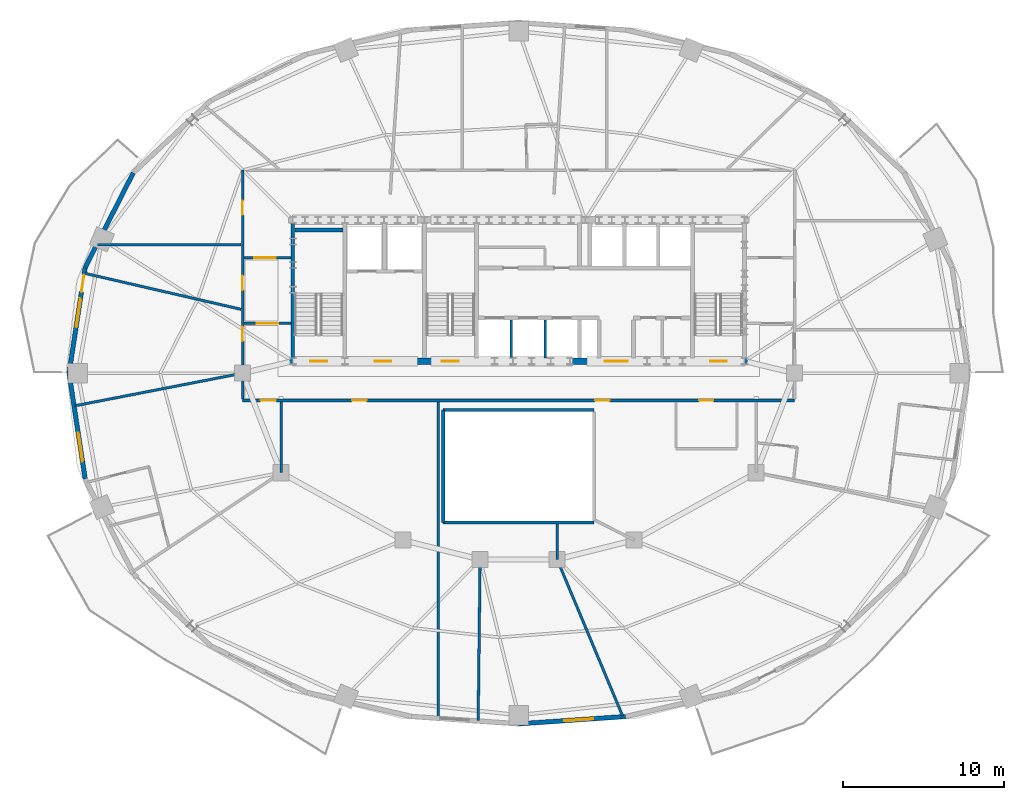
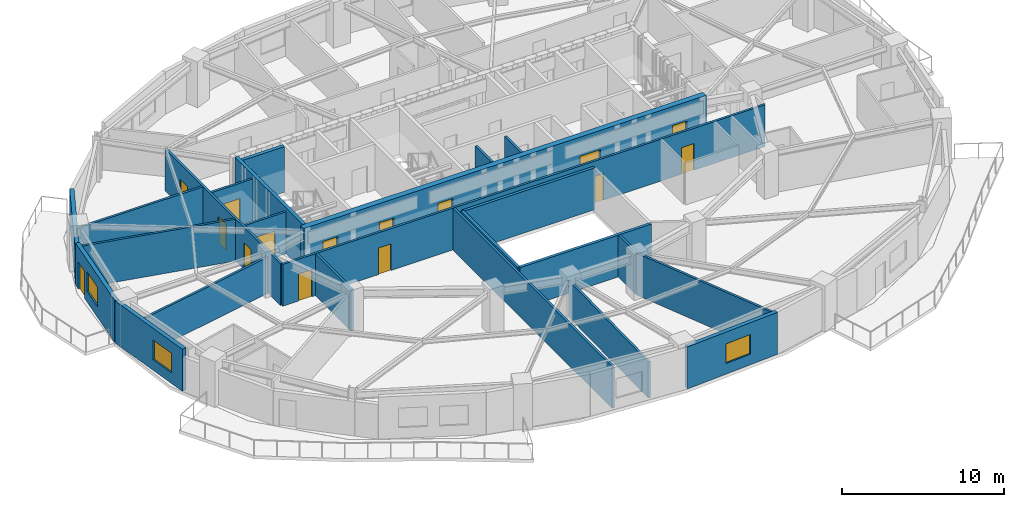
# One storey, part 4 of 10: 24 walls, 15 doors, 3 windows, 18 openings.
"""IFC4 building model written with IfcOpenShell, lengths in metres."""

from ifc_helpers import new_model, si_unit, direction, frame, frame_2d, origin, place, context, subcontext, project, spatial, rectangle, extrude, material, layer, layer_set, type_object, element, fill, save


model = new_model("IFC4")

# Units and contexts
model_context = context("Model", 3, precision=1e-05, world=origin(), true_north=direction((0.0, 1.0)))
body_context = subcontext(model_context, "Body", "Model", "MODEL_VIEW")
ifc_project = project(units=[si_unit("LENGTHUNIT", "METRE"), si_unit("AREAUNIT", "SQUARE_METRE"), si_unit("VOLUMEUNIT", "CUBIC_METRE"), si_unit("PLANEANGLEUNIT", "RADIAN"), si_unit("MASSUNIT", "GRAM", prefix="KILO")], contexts=[model_context])

# Site, building, storey
site_placement = place(None, origin())
site = spatial("IfcSite", under=ifc_project, at=site_placement, CompositionType="ELEMENT")
building_placement = place(site_placement, origin())
building = spatial("IfcBuilding", under=site, at=building_placement, Name="Haldorwick Loom Tower", CompositionType="ELEMENT")
storey_placement = place(building_placement, frame((0.0, 0.0, 196.89990234375)))
storey = spatial("IfcBuildingStorey", under=building, at=storey_placement, Name="L53", CompositionType="ELEMENT", Elevation=196.89990234375)

# Wall
ifc_material_1 = material(Name="Pressed Clay Face Brick and Insulated Masonry Backup Assembly", Category="masonry")
ifc_layer_1 = layer(ifc_material_1, 0.280029296875, Name="Pressed Clay Face Brick and Insulated Masonry Backup Assembly", Category="masonry")
ifc_layer_set_1 = layer_set([ifc_layer_1], Name="Pressed Clay Face Brick and Insulated Masonry Backup Assembly")
wall_type_1 = type_object("IfcWallType", Name="ARC-WL-EXT280", PredefinedType="STANDARD", material=ifc_layer_set_1)
wall_1_placement = place(storey_placement, frame((11.994384765625, 38.4853515625, 0.0), z_axis=(0.0, 0.0, 1.0), x_axis=(-0.453032066879, -0.89149422117, 0.0)))
element("IfcWall", 1, at=wall_1_placement, inside=storey, type_object=wall_type_1, Name="L53 Brick Pier and Spandrel Wall 11", PredefinedType="STANDARD", context=body_context, shape_type="SweptSolid", body=[
    extrude(rectangle(XDim=6.618896484375, YDim=0.280029296875, at=frame_2d((3.3095703125, 0.0))), origin(), (0.0, 0.0, 1.0), 2.60107421875),
])

# Wall, openings, door, window
wall_2_placement = place(storey_placement, frame((8.995849609375, 32.584716796875, 0.0), z_axis=(0.0, 0.0, 1.0), x_axis=(-0.150467697578, -0.988614926038, 0.0)))
wall_2 = element("IfcWall", 2, at=wall_2_placement, inside=storey, type_object=wall_type_1, Name="L53 Brick Pier and Spandrel Wall 12", PredefinedType="STANDARD", context=body_context, shape_type="SweptSolid", body=[
    extrude(rectangle(XDim=6.66064453125, YDim=0.280029296875, at=frame_2d((3.330322265625, 0.0))), origin(), (0.0, 0.0, 1.0), 3.170166015625),
])
opening_1_placement = place(wall_2_placement, frame((0.45947265625, 0.0, 0.0)))
opening_1 = element("IfcOpeningElement", 3, at=opening_1_placement, cuts=wall_2, Name="Opening D-BL11", PredefinedType="OPENING", context=body_context, shape_type="SweptSolid", body=[
    extrude(rectangle(XDim=1.080078125, YDim=2.0400390625, at=frame_2d((0.5400390625, 1.02001953125))), frame((0.0, 0.14990234375, 0.0), z_axis=(0.0, -1.0, 0.0), x_axis=(1.0, 0.0, 0.0)), (0.0, 0.0, 1.0), 0.300048828125),
])
opening_2_placement = place(wall_2_placement, frame((1.952392578125, 0.0, 0.800048828125)))
opening_2 = element("IfcOpeningElement", 4, at=opening_2_placement, cuts=wall_2, Name="Opening W-01", PredefinedType="OPENING", context=body_context, shape_type="SweptSolid", body=[
    extrude(rectangle(XDim=1.800048828125, YDim=1.47998046875, at=frame_2d((0.89990234375, 0.739990234375))), frame((0.0, 0.14990234375, 0.0), z_axis=(0.0, -1.0, 0.0), x_axis=(1.0, 0.0, 0.0)), (0.0, 0.0, 1.0), 0.300048828125),
])
ifc_material_2 = material(Name="Thermally Broken Anodized Aluminium Curtain Wall Framing", Category="aluminium")
door_type_1 = type_object("IfcDoorType", Name="ARC-DR-BAL110", OperationType="NOTDEFINED", PredefinedType="DOOR", material=ifc_material_2)
door_1_placement = place(opening_1_placement, origin())
door_1 = element("IfcDoor", 5, at=door_1_placement, inside=storey, type_object=door_type_1, Name="L53 Outdoor Terrace Door SLB-L53-BAL_WNW", OperationType="SINGLE_SWING_RIGHT", OverallHeight=2.0400390625, OverallWidth=1.080078125, PredefinedType="DOOR", context=body_context, shape_type="SweptSolid", body=[
    extrude(rectangle(XDim=1.080078125, YDim=2.0400390625, at=frame_2d((0.5400390625, 1.02001953125))), frame((0.0, 0.02490234375, 0.0), z_axis=(0.0, -1.0, 0.0), x_axis=(1.0, 0.0, 0.0)), (0.0, 0.0, 1.0), 0.050048828125),
])
fill(opening_1, door_1)
ifc_material_3 = material(Name="Triple-Glazed Low-E Argon Insulated Glazing Unit", Category="glass")
window_type = type_object("IfcWindowType", Name="ARC-WIN-W180", PartitioningType="SINGLE_PANEL", PredefinedType="WINDOW", material=ifc_material_3)
window_1_placement = place(opening_2_placement, origin())
window_1 = element("IfcWindow", 6, at=window_1_placement, inside=storey, type_object=window_type, Name="L53 Deep-Set Zone 7A Window 12", OverallHeight=1.47998046875, OverallWidth=1.800048828125, PartitioningType="SINGLE_PANEL", PredefinedType="WINDOW", context=body_context, shape_type="SweptSolid", body=[
    extrude(rectangle(XDim=1.800048828125, YDim=1.47998046875, at=frame_2d((0.89990234375, 0.739990234375))), frame((0.0, 0.030029296875, 0.0), z_axis=(0.0, -1.0, 0.0), x_axis=(1.0, 0.0, 0.0)), (0.0, 0.0, 1.0), 0.06005859375),
])
fill(opening_2, window_1)

# Wall, opening, window
wall_3_placement = place(storey_placement, frame((7.99365234375, 26.0, 0.0), z_axis=(0.0, 0.0, 1.0), x_axis=(0.150467697578, -0.988614926038, 0.0)))
wall_3 = element("IfcWall", 7, at=wall_3_placement, inside=storey, type_object=wall_type_1, Name="L53 Brick Pier and Spandrel Wall 13", PredefinedType="STANDARD", context=body_context, shape_type="SweptSolid", body=[
    extrude(rectangle(XDim=6.66064453125, YDim=0.280029296875, at=frame_2d((3.330322265625, 0.0))), origin(), (0.0, 0.0, 1.0), 3.170166015625),
])
opening_3_placement = place(wall_3_placement, frame((3.762451171875, 0.0, 0.800048828125)))
opening_3 = element("IfcOpeningElement", 8, at=opening_3_placement, cuts=wall_3, Name="Opening W-01", PredefinedType="OPENING", context=body_context, shape_type="SweptSolid", body=[
    extrude(rectangle(XDim=1.800048828125, YDim=1.47998046875, at=frame_2d((0.89990234375, 0.739990234375))), frame((0.0, 0.14990234375, 0.0), z_axis=(0.0, -1.0, 0.0), x_axis=(1.0, 0.0, 0.0)), (0.0, 0.0, 1.0), 0.300048828125),
])
window_2_placement = place(opening_3_placement, origin())
window_2 = element("IfcWindow", 9, at=window_2_placement, inside=storey, type_object=window_type, Name="L53 Deep-Set Zone 7A Window 13", OverallHeight=1.47998046875, OverallWidth=1.800048828125, PartitioningType="SINGLE_PANEL", PredefinedType="WINDOW", context=body_context, shape_type="SweptSolid", body=[
    extrude(rectangle(XDim=1.800048828125, YDim=1.47998046875, at=frame_2d((0.89990234375, 0.739990234375))), frame((0.0, 0.030029296875, 0.0), z_axis=(0.0, -1.0, 0.0), x_axis=(1.0, 0.0, 0.0)), (0.0, 0.0, 1.0), 0.06005859375),
])
fill(opening_3, window_2)

wall_4_placement = place(storey_placement, frame((36.0, 4.155029296875, 0.0), z_axis=(0.0, 0.0, 1.0), x_axis=(0.99764992135, 0.068517402386, 0.0)))
wall_4 = element("IfcWall", 10, at=wall_4_placement, inside=storey, type_object=wall_type_1, Name="L53 Brick Pier and Spandrel Wall 19", PredefinedType="STANDARD", context=body_context, shape_type="SweptSolid", body=[
    extrude(rectangle(XDim=6.680908203125, YDim=0.280029296875, at=frame_2d((3.34033203125, 0.0))), origin(), (0.0, 0.0, 1.0), 3.170166015625),
])
opening_4_placement = place(wall_4_placement, frame((2.860595703125, 0.0, 0.800048828125)))
opening_4 = element("IfcOpeningElement", 11, at=opening_4_placement, cuts=wall_4, Name="Opening W-01", PredefinedType="OPENING", context=body_context, shape_type="SweptSolid", body=[
    extrude(rectangle(XDim=1.800048828125, YDim=1.47998046875, at=frame_2d((0.89990234375, 0.739990234375))), frame((0.0, 0.14990234375, 0.0), z_axis=(0.0, -1.0, 0.0), x_axis=(1.0, 0.0, 0.0)), (0.0, 0.0, 1.0), 0.300048828125),
])
window_3_placement = place(opening_4_placement, origin())
window_3 = element("IfcWindow", 12, at=window_3_placement, inside=storey, type_object=window_type, Name="L53 Deep-Set Zone 7A Window 19", OverallHeight=1.47998046875, OverallWidth=1.800048828125, PartitioningType="SINGLE_PANEL", PredefinedType="WINDOW", context=body_context, shape_type="SweptSolid", body=[
    extrude(rectangle(XDim=1.800048828125, YDim=1.47998046875, at=frame_2d((0.89990234375, 0.739990234375))), frame((0.0, 0.030029296875, 0.0), z_axis=(0.0, -1.0, 0.0), x_axis=(1.0, 0.0, 0.0)), (0.0, 0.0, 1.0), 0.06005859375),
])
fill(opening_4, window_3)

# Wall, openings, doors
ifc_material_4 = material(Name="Fire-Rated Type X Gypsum Stud Assembly EI 60")
ifc_layer_2 = layer(ifc_material_4, 0.159912109375, Name="Fire-Rated Type X Gypsum Stud Assembly EI 60")
ifc_layer_set_2 = layer_set([ifc_layer_2], Name="Fire-Rated Type X Gypsum Stud Assembly EI 60")
wall_type_2 = type_object("IfcWallType", Name="ARC-WL-FIRE160", PredefinedType="PARTITIONING", material=ifc_layer_set_2)
wall_5_placement = place(storey_placement, frame((18.800048828125, 24.300048828125, 0.0), z_axis=(0.0, 0.0, 1.0), x_axis=(1.0, 0.0, 0.0)))
wall_5 = element("IfcWall", 13, at=wall_5_placement, inside=storey, type_object=wall_type_2, Name="L53 Residential Fire Partition L53-CR-SP", PredefinedType="PARTITIONING", context=body_context, shape_type="SweptSolid", body=[
    extrude(rectangle(XDim=34.39990234375, YDim=0.159912109375, at=frame_2d((17.199951171875, 0.0))), origin(), (0.0, 0.0, 1.0), 3.155029296875),
])
opening_5_placement = place(wall_5_placement, frame((21.9619140625, 0.0, 0.0)))
opening_5 = element("IfcOpeningElement", 14, at=opening_5_placement, cuts=wall_5, Name="Opening D-FD60A", PredefinedType="OPENING", context=body_context, shape_type="SweptSolid", body=[
    extrude(rectangle(XDim=0.89990234375, YDim=2.0, at=frame_2d((0.449951171875, 1.0))), frame((0.0, 0.08984375, 0.0), z_axis=(0.0, -1.0, 0.0), x_axis=(1.0, 0.0, 0.0)), (0.0, 0.0, 1.0), 0.179931640625),
])
opening_6_placement = place(wall_5_placement, frame((6.826904296875, 0.0, 0.0)))
opening_6 = element("IfcOpeningElement", 15, at=opening_6_placement, cuts=wall_5, Name="Opening D-FD60A", PredefinedType="OPENING", context=body_context, shape_type="SweptSolid", body=[
    extrude(rectangle(XDim=0.89990234375, YDim=2.0, at=frame_2d((0.449951171875, 1.0))), frame((0.0, 0.08984375, 0.0), z_axis=(0.0, -1.0, 0.0), x_axis=(1.0, 0.0, 0.0)), (0.0, 0.0, 1.0), 0.179931640625),
])
opening_7_placement = place(wall_5_placement, frame((28.437255859375, 0.0, 0.0)))
opening_7 = element("IfcOpeningElement", 16, at=opening_7_placement, cuts=wall_5, Name="Opening D-FD60A", PredefinedType="OPENING", context=body_context, shape_type="SweptSolid", body=[
    extrude(rectangle(XDim=0.89990234375, YDim=2.0, at=frame_2d((0.449951171875, 1.0))), frame((0.0, 0.08984375, 0.0), z_axis=(0.0, -1.0, 0.0), x_axis=(1.0, 0.0, 0.0)), (0.0, 0.0, 1.0), 0.179931640625),
])
opening_8_placement = place(wall_5_placement, frame((1.130859375, 0.0, 0.0)))
opening_8 = element("IfcOpeningElement", 17, at=opening_8_placement, cuts=wall_5, Name="Opening D-FL95", PredefinedType="OPENING", context=body_context, shape_type="SweptSolid", body=[
    extrude(rectangle(XDim=0.949951171875, YDim=2.0400390625, at=frame_2d((0.47509765625, 1.02001953125))), frame((0.0, 0.08984375, 0.0), z_axis=(0.0, -1.0, 0.0), x_axis=(1.0, 0.0, 0.0)), (0.0, 0.0, 1.0), 0.179931640625),
])
ifc_material_5 = material(Name="Hollow Steel Fire Door Assembly", Category="steel")
door_type_2 = type_object("IfcDoorType", Name="ARC-DR-FD60-90", OperationType="NOTDEFINED", PredefinedType="DOOR", material=ifc_material_5)
door_2_placement = place(opening_5_placement, origin())
door_2 = element("IfcDoor", 18, at=door_2_placement, inside=storey, type_object=door_type_2, Name="L53 L53 Central Residential Corridor to Community Library Hall 1 Door", OperationType="SINGLE_SWING_LEFT", OverallHeight=2.0, OverallWidth=0.89990234375, PredefinedType="DOOR", context=body_context, shape_type="SweptSolid", body=[
    extrude(rectangle(XDim=0.89990234375, YDim=2.0, at=frame_2d((0.449951171875, 1.0))), frame((0.0, 0.02490234375, 0.0), z_axis=(0.0, -1.0, 0.0), x_axis=(1.0, 0.0, 0.0)), (0.0, 0.0, 1.0), 0.050048828125),
])
fill(opening_5, door_2)
door_3_placement = place(opening_6_placement, origin())
door_3 = element("IfcDoor", 19, at=door_3_placement, inside=storey, type_object=door_type_2, Name="L53 L53 Central Residential Corridor to Community Library Hall 2 Door", OperationType="SINGLE_SWING_RIGHT", OverallHeight=2.0, OverallWidth=0.89990234375, PredefinedType="DOOR", context=body_context, shape_type="SweptSolid", body=[
    extrude(rectangle(XDim=0.89990234375, YDim=2.0, at=frame_2d((0.449951171875, 1.0))), frame((0.0, 0.02490234375, 0.0), z_axis=(0.0, -1.0, 0.0), x_axis=(1.0, 0.0, 0.0)), (0.0, 0.0, 1.0), 0.050048828125),
])
fill(opening_6, door_3)
door_4_placement = place(opening_7_placement, origin())
door_4 = element("IfcDoor", 20, at=door_4_placement, inside=storey, type_object=door_type_2, Name="L53 L53 Central Residential Corridor to Common Accessible WC Door", OperationType="SINGLE_SWING_LEFT", OverallHeight=2.0, OverallWidth=0.89990234375, PredefinedType="DOOR", context=body_context, shape_type="SweptSolid", body=[
    extrude(rectangle(XDim=0.89990234375, YDim=2.0, at=frame_2d((0.449951171875, 1.0))), frame((0.0, 0.02490234375, 0.0), z_axis=(0.0, -1.0, 0.0), x_axis=(1.0, 0.0, 0.0)), (0.0, 0.0, 1.0), 0.050048828125),
])
fill(opening_7, door_4)
ifc_material_6 = material(Name="Solid Core Birch Architectural Door")
door_type_3 = type_object("IfcDoorType", Name="ARC-DR-FLAT95", OperationType="NOTDEFINED", PredefinedType="DOOR", material=ifc_material_6)
door_5_placement = place(opening_8_placement, origin())
door_5 = element("IfcDoor", 21, at=door_5_placement, inside=storey, type_object=door_type_3, Name="L53 L53 Central Residential Corridor to Unit 53A Kitchen and Living Room", OperationType="SINGLE_SWING_RIGHT", OverallHeight=2.0400390625, OverallWidth=0.949951171875, PredefinedType="DOOR", context=body_context, shape_type="SweptSolid", body=[
    extrude(rectangle(XDim=0.949951171875, YDim=2.0400390625, at=frame_2d((0.47509765625, 1.02001953125))), frame((0.0, 0.02490234375, 0.0), z_axis=(0.0, -1.0, 0.0), x_axis=(1.0, 0.0, 0.0)), (0.0, 0.0, 1.0), 0.050048828125),
])
fill(opening_8, door_5)

wall_6_placement = place(storey_placement, frame((18.800048828125, 24.383056640625, 0.0), z_axis=(0.0, 0.0, 1.0), x_axis=(0.0, 1.0, 0.0)))
wall_6 = element("IfcWall", 22, at=wall_6_placement, inside=storey, type_object=wall_type_2, Name="L53 Residential Fire Partition L53-CR-W0", PredefinedType="PARTITIONING", context=body_context, shape_type="SweptSolid", body=[
    extrude(rectangle(XDim=14.266845703125, YDim=0.159912109375, at=frame_2d((7.13330078125, 0.0))), origin(), (0.0, 0.0, 1.0), 3.155029296875),
])
opening_9_placement = place(wall_6_placement, frame((11.476318359375, 0.0, 0.0)))
opening_9 = element("IfcOpeningElement", 23, at=opening_9_placement, cuts=wall_6, Name="Opening D-FD60A", PredefinedType="OPENING", context=body_context, shape_type="SweptSolid", body=[
    extrude(rectangle(XDim=0.89990234375, YDim=2.0, at=frame_2d((0.449951171875, 1.0))), frame((0.0, 0.08984375, 0.0), z_axis=(0.0, -1.0, 0.0), x_axis=(1.0, 0.0, 0.0)), (0.0, 0.0, 1.0), 0.179931640625),
])
opening_10_placement = place(wall_6_placement, frame((6.794921875, 0.0, 0.0)))
opening_10 = element("IfcOpeningElement", 24, at=opening_10_placement, cuts=wall_6, Name="Opening D-FD60A", PredefinedType="OPENING", context=body_context, shape_type="SweptSolid", body=[
    extrude(rectangle(XDim=0.89990234375, YDim=2.0, at=frame_2d((0.449951171875, 1.0))), frame((0.0, 0.08984375, 0.0), z_axis=(0.0, -1.0, 0.0), x_axis=(1.0, 0.0, 0.0)), (0.0, 0.0, 1.0), 0.179931640625),
])
opening_11_placement = place(wall_6_placement, frame((3.619873046875, 0.0, 0.0)))
opening_11 = element("IfcOpeningElement", 25, at=opening_11_placement, cuts=wall_6, Name="Opening D-FD60A", PredefinedType="OPENING", context=body_context, shape_type="SweptSolid", body=[
    extrude(rectangle(XDim=0.89990234375, YDim=2.0, at=frame_2d((0.449951171875, 1.0))), frame((0.0, 0.08984375, 0.0), z_axis=(0.0, -1.0, 0.0), x_axis=(1.0, 0.0, 0.0)), (0.0, 0.0, 1.0), 0.179931640625),
])
door_6_placement = place(opening_9_placement, frame((0.89990234375, 0.0, 0.0), z_axis=(0.0, 0.0, 1.0), x_axis=(-1.0, 0.0, 0.0)))
door_6 = element("IfcDoor", 26, at=door_6_placement, inside=storey, type_object=door_type_2, Name="L53 Community Teaching Classroom 4 to L53 North Residential Corridor Doo", OperationType="SINGLE_SWING_LEFT", OverallHeight=2.0, OverallWidth=0.89990234375, PredefinedType="DOOR", context=body_context, shape_type="SweptSolid", body=[
    extrude(rectangle(XDim=0.89990234375, YDim=2.0, at=frame_2d((0.449951171875, 1.0))), frame((0.0, 0.02490234375, 0.0), z_axis=(0.0, -1.0, 0.0), x_axis=(1.0, 0.0, 0.0)), (0.0, 0.0, 1.0), 0.050048828125),
])
fill(opening_9, door_6)
door_7_placement = place(opening_10_placement, frame((0.89990234375, 0.0, 0.0), z_axis=(0.0, 0.0, 1.0), x_axis=(-1.0, 0.0, 0.0)))
door_7 = element("IfcDoor", 27, at=door_7_placement, inside=storey, type_object=door_type_2, Name="L53 Resident Work Office 2 to L53 West Residential Corridor Door", OperationType="SINGLE_SWING_RIGHT", OverallHeight=2.0, OverallWidth=0.89990234375, PredefinedType="DOOR", context=body_context, shape_type="SweptSolid", body=[
    extrude(rectangle(XDim=0.89990234375, YDim=2.0, at=frame_2d((0.449951171875, 1.0))), frame((0.0, 0.02490234375, 0.0), z_axis=(0.0, -1.0, 0.0), x_axis=(1.0, 0.0, 0.0)), (0.0, 0.0, 1.0), 0.050048828125),
])
fill(opening_10, door_7)
door_8_placement = place(opening_11_placement, frame((0.89990234375, 0.0, 0.0), z_axis=(0.0, 0.0, 1.0), x_axis=(-1.0, 0.0, 0.0)))
door_8 = element("IfcDoor", 28, at=door_8_placement, inside=storey, type_object=door_type_2, Name="L53 Resident Work Office 1 to L53 Central Residential Corridor Door", OperationType="SINGLE_SWING_LEFT", OverallHeight=2.0, OverallWidth=0.89990234375, PredefinedType="DOOR", context=body_context, shape_type="SweptSolid", body=[
    extrude(rectangle(XDim=0.89990234375, YDim=2.0, at=frame_2d((0.449951171875, 1.0))), frame((0.0, 0.02490234375, 0.0), z_axis=(0.0, -1.0, 0.0), x_axis=(1.0, 0.0, 0.0)), (0.0, 0.0, 1.0), 0.050048828125),
])
fill(opening_11, door_8)

# Wall, opening, door
wall_7_placement = place(storey_placement, frame((18.883056640625, 29.10009765625, 0.0), z_axis=(0.0, 0.0, 1.0), x_axis=(1.0, 0.0, 0.0)))
wall_7 = element("IfcWall", 29, at=wall_7_placement, inside=storey, type_object=wall_type_2, Name="L53 Residential Fire Partition L53-CR-WSJ", PredefinedType="PARTITIONING", context=body_context, shape_type="SweptSolid", body=[
    extrude(rectangle(XDim=2.923828125, YDim=0.159912109375, at=frame_2d((1.4619140625, 0.0))), origin(), (0.0, 0.0, 1.0), 3.155029296875),
])
opening_12_placement = place(wall_7_placement, frame((0.787109375, 0.0, 0.0)))
opening_12 = element("IfcOpeningElement", 30, at=opening_12_placement, cuts=wall_7, Name="Opening D-CR15", PredefinedType="OPENING", context=body_context, shape_type="SweptSolid", body=[
    extrude(rectangle(XDim=1.35009765625, YDim=2.0, at=frame_2d((0.675048828125, 1.0))), frame((0.0, 0.08984375, 0.0), z_axis=(0.0, -1.0, 0.0), x_axis=(1.0, 0.0, 0.0)), (0.0, 0.0, 1.0), 0.179931640625),
])
ifc_material_7 = material(Name="Thermally Broken Anodized Aluminium and Tempered Glass", Category="aluminium")
door_type_4 = type_object("IfcDoorType", Name="ARC-DR-COR150", OperationType="NOTDEFINED", PredefinedType="DOOR", material=ifc_material_7)
door_9_placement = place(opening_12_placement, origin())
door_9 = element("IfcDoor", 31, at=door_9_placement, inside=storey, type_object=door_type_4, Name="L53 L53 West Residential Corridor to L53 Central Residential Corridor Do", OperationType="DOUBLE_DOOR_SINGLE_SWING", OverallHeight=2.0, OverallWidth=1.35009765625, PredefinedType="DOOR", context=body_context, shape_type="SweptSolid", body=[
    extrude(rectangle(XDim=1.35009765625, YDim=2.0, at=frame_2d((0.675048828125, 1.0))), frame((0.0, 0.02490234375, 0.0), z_axis=(0.0, -1.0, 0.0), x_axis=(1.0, 0.0, 0.0)), (0.0, 0.0, 1.0), 0.050048828125),
])
fill(opening_12, door_9)

wall_8_placement = place(storey_placement, frame((18.883056640625, 33.199951171875, 0.0), z_axis=(0.0, 0.0, 1.0), x_axis=(1.0, 0.0, 0.0)))
wall_8 = element("IfcWall", 32, at=wall_8_placement, inside=storey, type_object=wall_type_2, Name="L53 Residential Fire Partition L53-CR-WNJ", PredefinedType="PARTITIONING", context=body_context, shape_type="SweptSolid", body=[
    extrude(rectangle(XDim=2.923828125, YDim=0.159912109375, at=frame_2d((1.4619140625, 0.0))), origin(), (0.0, 0.0, 1.0), 3.155029296875),
])
opening_13_placement = place(wall_8_placement, frame((0.637939453125, 0.0, 0.0)))
opening_13 = element("IfcOpeningElement", 33, at=opening_13_placement, cuts=wall_8, Name="Opening D-CR15", PredefinedType="OPENING", context=body_context, shape_type="SweptSolid", body=[
    extrude(rectangle(XDim=1.35009765625, YDim=2.0, at=frame_2d((0.675048828125, 1.0))), frame((0.0, 0.08984375, 0.0), z_axis=(0.0, -1.0, 0.0), x_axis=(1.0, 0.0, 0.0)), (0.0, 0.0, 1.0), 0.179931640625),
])
door_10_placement = place(opening_13_placement, origin())
door_10 = element("IfcDoor", 34, at=door_10_placement, inside=storey, type_object=door_type_4, Name="L53 L53 North Residential Corridor to L53 West Residential Corridor Door", OperationType="DOUBLE_DOOR_SINGLE_SWING", OverallHeight=2.0, OverallWidth=1.35009765625, PredefinedType="DOOR", context=body_context, shape_type="SweptSolid", body=[
    extrude(rectangle(XDim=1.35009765625, YDim=2.0, at=frame_2d((0.675048828125, 1.0))), frame((0.0, 0.02490234375, 0.0), z_axis=(0.0, -1.0, 0.0), x_axis=(1.0, 0.0, 0.0)), (0.0, 0.0, 1.0), 0.050048828125),
])
fill(opening_13, door_10)

# Walls
wall_9_placement = place(storey_placement, frame((38.39990234375, 14.39990234375, 0.0), z_axis=(0.0, 0.0, 1.0), x_axis=(0.385749670427, -0.922603485668, 0.0)))
element("IfcWall", 35, at=wall_9_placement, inside=storey, type_object=wall_type_2, Name="L53 Residential Fire Partition L53-ICR-05", PredefinedType="PARTITIONING", context=body_context, shape_type="SweptSolid", body=[
    extrude(rectangle(XDim=10.5732421875, YDim=0.159912109375, at=frame_2d((5.28662109375, 0.0))), origin(), (0.0, 0.0, 1.0), 3.155029296875),
])
wall_10_placement = place(storey_placement, frame((33.60009765625, 14.39990234375, 0.0), z_axis=(0.0, 0.0, 1.0), x_axis=(-0.012052011227, -0.999927371875, 0.0)))
element("IfcWall", 36, at=wall_10_placement, inside=storey, type_object=wall_type_2, Name="L53 Residential Fire Partition L53-ICR-07", PredefinedType="PARTITIONING", context=body_context, shape_type="SweptSolid", body=[
    extrude(rectangle(XDim=10.02734375, YDim=0.159912109375, at=frame_2d((5.013671875, 0.0))), origin(), (0.0, 0.0, 1.0), 2.732177734375),
])
wall_11_placement = place(storey_placement, frame((18.717041015625, 25.98388671875, 0.0), z_axis=(0.0, 0.0, 1.0), x_axis=(-0.98162861955, -0.19080160712, 0.0)))
element("IfcWall", 37, at=wall_11_placement, inside=storey, type_object=wall_type_2, Name="L53 Residential Fire Partition L53-ICR-11", PredefinedType="PARTITIONING", context=body_context, shape_type="SweptSolid", body=[
    extrude(rectangle(XDim=10.562744140625, YDim=0.159912109375, at=frame_2d((5.28125, 0.0))), origin(), (0.0, 0.0, 1.0), 2.732177734375),
])
wall_12_placement = place(storey_placement, frame((31.0, 4.54345703125, 0.0), z_axis=(0.0, 0.0, 1.0), x_axis=(0.0, 1.0, 0.0)))
element("IfcWall", 38, at=wall_12_placement, inside=storey, type_object=wall_type_2, Name="L53 Residential Fire Partition L53-SBP-0", PredefinedType="PARTITIONING", context=body_context, shape_type="SweptSolid", body=[
    extrude(rectangle(XDim=19.673583984375, YDim=0.159912109375, at=frame_2d((9.8369140625, 0.0))), origin(), (0.0, 0.0, 1.0), 3.155029296875),
])
wall_13_placement = place(storey_placement, frame((38.39990234375, 16.596923828125, 0.0), z_axis=(0.0, 0.0, 1.0), x_axis=(0.0, -1.0, 0.0)))
element("IfcWall", 39, at=wall_13_placement, inside=storey, type_object=wall_type_2, Name="L53 Residential Fire Partition L53-ICA-04", PredefinedType="PARTITIONING", context=body_context, shape_type="SweptSolid", body=[
    extrude(rectangle(XDim=2.197021484375, YDim=0.159912109375, at=frame_2d((1.0986328125, 0.0))), origin(), (0.0, 0.0, 1.0), 3.155029296875),
])
wall_14_placement = place(storey_placement, frame((21.199951171875, 24.217041015625, 0.0), z_axis=(0.0, 0.0, 1.0), x_axis=(0.0, -1.0, 0.0)))
element("IfcWall", 40, at=wall_14_placement, inside=storey, type_object=wall_type_2, Name="L53 Residential Fire Partition L53-ICA-09", PredefinedType="PARTITIONING", context=body_context, shape_type="SweptSolid", body=[
    extrude(rectangle(XDim=4.4169921875, YDim=0.159912109375, at=frame_2d((2.20849609375, 0.0))), origin(), (0.0, 0.0, 1.0), 3.155029296875),
])
wall_15_placement = place(storey_placement, frame((9.765625, 34.0, 0.0), z_axis=(0.0, 0.0, 1.0), x_axis=(1.0, 0.0, 0.0)))
element("IfcWall", 41, at=wall_15_placement, inside=storey, type_object=wall_type_2, Name="L53 Residential Fire Partition L53-FLW-16", PredefinedType="PARTITIONING", context=body_context, shape_type="SweptSolid", body=[
    extrude(rectangle(XDim=8.951416015625, YDim=0.159912109375, at=frame_2d((4.4755859375, 0.0))), origin(), (0.0, 0.0, 1.0), 3.155029296875),
])
wall_16_placement = place(storey_placement, frame((18.717041015625, 29.97900390625, 0.0), z_axis=(0.0, 0.0, 1.0), x_axis=(-0.974504799201, 0.224366656019, 0.0)))
element("IfcWall", 42, at=wall_16_placement, inside=storey, type_object=wall_type_2, Name="L53 Suite Split Wall", PredefinedType="PARTITIONING", context=body_context, shape_type="SweptSolid", body=[
    extrude(rectangle(XDim=9.98583984375, YDim=0.159912109375, at=frame_2d((4.992919921875, 0.0))), origin(), (0.0, 0.0, 1.0), 3.155029296875),
])
ifc_material_8 = material(Name="Fire-Rated Type X Gypsum Stud Assembly EI 120")
ifc_layer_3 = layer(ifc_material_8, 0.199951171875, Name="Fire-Rated Type X Gypsum Stud Assembly EI 120")
ifc_layer_set_3 = layer_set([ifc_layer_3], Name="Fire-Rated Type X Gypsum Stud Assembly EI 120")
wall_type_3 = type_object("IfcWallType", Name="ARC-WL-FIRE200", PredefinedType="PARTITIONING", material=ifc_layer_set_3)
for number, where, z_axis, x_axis, name in (
    (43, (31.300048828125, 23.699951171875, 0.0), (0.0, 0.0, 1.0), (1.0, 0.0, 0.0), "L53 Atrium Fire Enclosure Wall N"),
    (44, (40.699951171875, 16.699951171875, 0.0), (0.0, 0.0, 1.0), (-1.0, 0.0, 0.0), "L53 Atrium Fire Enclosure Wall S"),
):
    element("IfcWall", number, at=place(storey_placement, frame(where, z_axis=z_axis, x_axis=x_axis)), inside=storey, type_object=wall_type_3, Name=name, PredefinedType="PARTITIONING", context=body_context, shape_type="SweptSolid", body=[
        extrude(rectangle(XDim=9.39990234375, YDim=0.199951171875, at=frame_2d((4.699951171875, 0.0))), origin(), (0.0, 0.0, 1.0), 3.155029296875),
    ])
wall_17_placement = place(storey_placement, frame((31.300048828125, 16.699951171875, 0.0), z_axis=(0.0, 0.0, 1.0), x_axis=(0.0, 1.0, 0.0)))
element("IfcWall", 45, at=wall_17_placement, inside=storey, type_object=wall_type_3, Name="L53 Atrium Fire Enclosure Wall W", PredefinedType="PARTITIONING", context=body_context, shape_type="SweptSolid", body=[
    extrude(rectangle(XDim=7.0, YDim=0.199951171875, at=frame_2d((3.5, 0.0))), origin(), (0.0, 0.0, 1.0), 3.155029296875),
])
ifc_layer_4 = layer(ifc_material_8, 0.1650390625, Name="Fire-Rated Type X Gypsum Stud Assembly EI 120")
ifc_layer_set_4 = layer_set([ifc_layer_4], Name="Fire-Rated Type X Gypsum Stud Assembly EI 120")
wall_type_4 = type_object("IfcWallType", Name="ARC-WL-SHAFT160", PredefinedType="MOVABLE", material=ifc_layer_set_4)
for number, where, z_axis, x_axis, name in (
    (46, (35.550048828125, 26.952880859375, 0.0), (0.0, 0.0, 1.0), (0.0, 1.0, 0.0), "L53 Mid-Rise Hoistway Divider 1"),
    (47, (37.64990234375, 26.952880859375, 0.0), (0.0, 0.0, 1.0), (0.0, 1.0, 0.0), "L53 Mid-Rise Hoistway Divider 2"),
):
    element("IfcWall", number, at=place(storey_placement, frame(where, z_axis=z_axis, x_axis=x_axis)), inside=storey, type_object=wall_type_4, Name=name, PredefinedType="MOVABLE", context=body_context, shape_type="SweptSolid", body=[
        extrude(rectangle(XDim=2.3740234375, YDim=0.159912109375, at=frame_2d((1.18701171875, 0.0))), origin(), (0.0, 0.0, 1.0), 3.155029296875),
    ])

# Wall, openings, doors
ifc_material_9 = material(Name="Concrete C50 (50 MPa)", Category="concrete")
ifc_layer_5 = layer(ifc_material_9, 0.39990234375, Name="Concrete C50 (50 MPa)", Category="concrete")
ifc_layer_set_5 = layer_set([ifc_layer_5], Name="Concrete C50 (50 MPa)")
wall_type_5 = type_object("IfcWallType", Name="STR-WL-CORE400", PredefinedType="SHEAR", material=ifc_layer_set_5)
wall_18_placement = place(storey_placement, frame((21.64990234375, 26.75, 0.0), z_axis=(0.0, 0.0, 1.0), x_axis=(1.0, 0.0, 0.0)))
wall_18 = element("IfcWall", 48, at=wall_18_placement, inside=storey, type_object=wall_type_5, Name="L53 Core Shear Wall S", PredefinedType="SHEAR", context=body_context, shape_type="SweptSolid", body=[
    extrude(rectangle(XDim=28.7001953125, YDim=0.39990234375, at=frame_2d((14.35009765625, 0.0))), origin(), (0.0, 0.0, 1.0), 3.4501953125),
])
opening_14_placement = place(wall_18_placement, frame((1.375, 0.0, 0.0)))
opening_14 = element("IfcOpeningElement", 49, at=opening_14_placement, cuts=wall_18, Name="Opening D-FD60", PredefinedType="OPENING", context=body_context, shape_type="SweptSolid", body=[
    extrude(rectangle(XDim=1.050048828125, YDim=2.0, at=frame_2d((0.52490234375, 1.0))), frame((0.0, 0.2099609375, 0.0), z_axis=(0.0, -1.0, 0.0), x_axis=(1.0, 0.0, 0.0)), (0.0, 0.0, 1.0), 0.419921875),
])
opening_15_placement = place(wall_18_placement, frame((5.375, 0.0, 0.0)))
opening_15 = element("IfcOpeningElement", 50, at=opening_15_placement, cuts=wall_18, Name="Opening D-FD60", PredefinedType="OPENING", context=body_context, shape_type="SweptSolid", body=[
    extrude(rectangle(XDim=1.050048828125, YDim=2.0, at=frame_2d((0.52490234375, 1.0))), frame((0.0, 0.2099609375, 0.0), z_axis=(0.0, -1.0, 0.0), x_axis=(1.0, 0.0, 0.0)), (0.0, 0.0, 1.0), 0.419921875),
])
opening_16_placement = place(wall_18_placement, frame((9.574951171875, 0.0, 0.0)))
opening_16 = element("IfcOpeningElement", 51, at=opening_16_placement, cuts=wall_18, Name="Opening D-FD60", PredefinedType="OPENING", context=body_context, shape_type="SweptSolid", body=[
    extrude(rectangle(XDim=1.050048828125, YDim=2.0, at=frame_2d((0.52490234375, 1.0))), frame((0.0, 0.2099609375, 0.0), z_axis=(0.0, -1.0, 0.0), x_axis=(1.0, 0.0, 0.0)), (0.0, 0.0, 1.0), 0.419921875),
])
opening_17_placement = place(wall_18_placement, frame((19.705078125, 0.0, 0.0)))
opening_17 = element("IfcOpeningElement", 52, at=opening_17_placement, cuts=wall_18, Name="Opening D-LB15", PredefinedType="OPENING", context=body_context, shape_type="SweptSolid", body=[
    extrude(rectangle(XDim=1.449951171875, YDim=2.0, at=frame_2d((0.72509765625, 1.0))), frame((0.0, 0.2099609375, 0.0), z_axis=(0.0, -1.0, 0.0), x_axis=(1.0, 0.0, 0.0)), (0.0, 0.0, 1.0), 0.419921875),
])
opening_18_placement = place(wall_18_placement, frame((26.27490234375, 0.0, 0.0)))
opening_18 = element("IfcOpeningElement", 53, at=opening_18_placement, cuts=wall_18, Name="Opening D-FD60", PredefinedType="OPENING", context=body_context, shape_type="SweptSolid", body=[
    extrude(rectangle(XDim=1.050048828125, YDim=2.0, at=frame_2d((0.52490234375, 1.0))), frame((0.0, 0.2099609375, 0.0), z_axis=(0.0, -1.0, 0.0), x_axis=(1.0, 0.0, 0.0)), (0.0, 0.0, 1.0), 0.419921875),
])
door_type_5 = type_object("IfcDoorType", Name="ARC-DR-FD60", OperationType="NOTDEFINED", PredefinedType="DOOR", material=ifc_material_5)
door_11_placement = place(opening_14_placement, origin())
door_11 = element("IfcDoor", 54, at=door_11_placement, inside=storey, type_object=door_type_5, Name="L53 Exit Stair ST-01 Fire Door", OperationType="SINGLE_SWING_LEFT", OverallHeight=2.0, OverallWidth=1.050048828125, PredefinedType="DOOR", context=body_context, shape_type="SweptSolid", body=[
    extrude(rectangle(XDim=1.050048828125, YDim=2.0, at=frame_2d((0.52490234375, 1.0))), frame((0.0, 0.02490234375, 0.0), z_axis=(0.0, -1.0, 0.0), x_axis=(1.0, 0.0, 0.0)), (0.0, 0.0, 1.0), 0.050048828125),
])
fill(opening_14, door_11)
door_12_placement = place(opening_15_placement, origin())
door_12 = element("IfcDoor", 55, at=door_12_placement, inside=storey, type_object=door_type_5, Name="L53 Firefighting Lift Lobby Fire Door", OperationType="SINGLE_SWING_RIGHT", OverallHeight=2.0, OverallWidth=1.050048828125, PredefinedType="DOOR", context=body_context, shape_type="SweptSolid", body=[
    extrude(rectangle(XDim=1.050048828125, YDim=2.0, at=frame_2d((0.52490234375, 1.0))), frame((0.0, 0.02490234375, 0.0), z_axis=(0.0, -1.0, 0.0), x_axis=(1.0, 0.0, 0.0)), (0.0, 0.0, 1.0), 0.050048828125),
])
fill(opening_15, door_12)
door_13_placement = place(opening_16_placement, origin())
door_13 = element("IfcDoor", 56, at=door_13_placement, inside=storey, type_object=door_type_5, Name="L53 Exit Stair ST-03 Fire Door", OperationType="SINGLE_SWING_LEFT", OverallHeight=2.0, OverallWidth=1.050048828125, PredefinedType="DOOR", context=body_context, shape_type="SweptSolid", body=[
    extrude(rectangle(XDim=1.050048828125, YDim=2.0, at=frame_2d((0.52490234375, 1.0))), frame((0.0, 0.02490234375, 0.0), z_axis=(0.0, -1.0, 0.0), x_axis=(1.0, 0.0, 0.0)), (0.0, 0.0, 1.0), 0.050048828125),
])
fill(opening_16, door_13)
door_14_placement = place(opening_18_placement, origin())
door_14 = element("IfcDoor", 57, at=door_14_placement, inside=storey, type_object=door_type_5, Name="L53 Exit Stair ST-02 Fire Door", OperationType="SINGLE_SWING_LEFT", OverallHeight=2.0, OverallWidth=1.050048828125, PredefinedType="DOOR", context=body_context, shape_type="SweptSolid", body=[
    extrude(rectangle(XDim=1.050048828125, YDim=2.0, at=frame_2d((0.52490234375, 1.0))), frame((0.0, 0.02490234375, 0.0), z_axis=(0.0, -1.0, 0.0), x_axis=(1.0, 0.0, 0.0)), (0.0, 0.0, 1.0), 0.050048828125),
])
fill(opening_18, door_14)
door_type_6 = type_object("IfcDoorType", Name="ARC-DR-LOB150", OperationType="NOTDEFINED", PredefinedType="DOOR", material=ifc_material_7)
door_15_placement = place(opening_17_placement, frame((1.449951171875, 0.0, 0.0), z_axis=(0.0, 0.0, 1.0), x_axis=(-1.0, 0.0, 0.0)))
door_15 = element("IfcDoor", 58, at=door_15_placement, inside=storey, type_object=door_type_6, Name="L53 Passenger Lift Lobby Fire Door", OperationType="DOUBLE_DOOR_SINGLE_SWING", OverallHeight=2.0, OverallWidth=1.449951171875, PredefinedType="DOOR", context=body_context, shape_type="SweptSolid", body=[
    extrude(rectangle(XDim=1.449951171875, YDim=2.0, at=frame_2d((0.72509765625, 1.0))), frame((0.0, 0.02490234375, 0.0), z_axis=(0.0, -1.0, 0.0), x_axis=(1.0, 0.0, 0.0)), (0.0, 0.0, 1.0), 0.050048828125),
])
fill(opening_17, door_15)

# Walls
ifc_layer_6 = layer(ifc_material_9, 0.239990234375, Name="Concrete C50 (50 MPa)", Category="concrete")
ifc_layer_set_6 = layer_set([ifc_layer_6], Name="Concrete C50 (50 MPa)")
wall_type_6 = type_object("IfcWallType", Name="STR-WL-SHAFT240", PredefinedType="SHEAR", material=ifc_layer_set_6)
wall_19_placement = place(storey_placement, frame((21.929931640625, 35.346923828125, 0.0), z_axis=(0.0, 0.0, 1.0), x_axis=(0.0, -1.0, 0.0)))
element("IfcWall", 59, at=wall_19_placement, inside=storey, type_object=wall_type_6, Name="L53 Core Shear Wall W", PredefinedType="SHEAR", context=body_context, shape_type="SweptSolid", body=[
    extrude(rectangle(XDim=8.39404296875, YDim=0.239990234375, at=frame_2d((4.197021484375, 0.0))), origin(), (0.0, 0.0, 1.0), 3.4501953125),
])
wall_20_placement = place(storey_placement, frame((22.052978515625, 34.919921875, 0.0), z_axis=(0.0, 0.0, 1.0), x_axis=(1.0, 0.0, 0.0)))
element("IfcWall", 60, at=wall_20_placement, inside=storey, type_object=wall_type_6, Name="L53 Core Shear Wall 1N", PredefinedType="SHEAR", context=body_context, shape_type="SweptSolid", body=[
    extrude(rectangle(XDim=2.994140625, YDim=0.239990234375, at=frame_2d((1.4970703125, 0.0))), origin(), (0.0, 0.0, 1.0), 3.4501953125),
])

save(model, "model.ifc")
